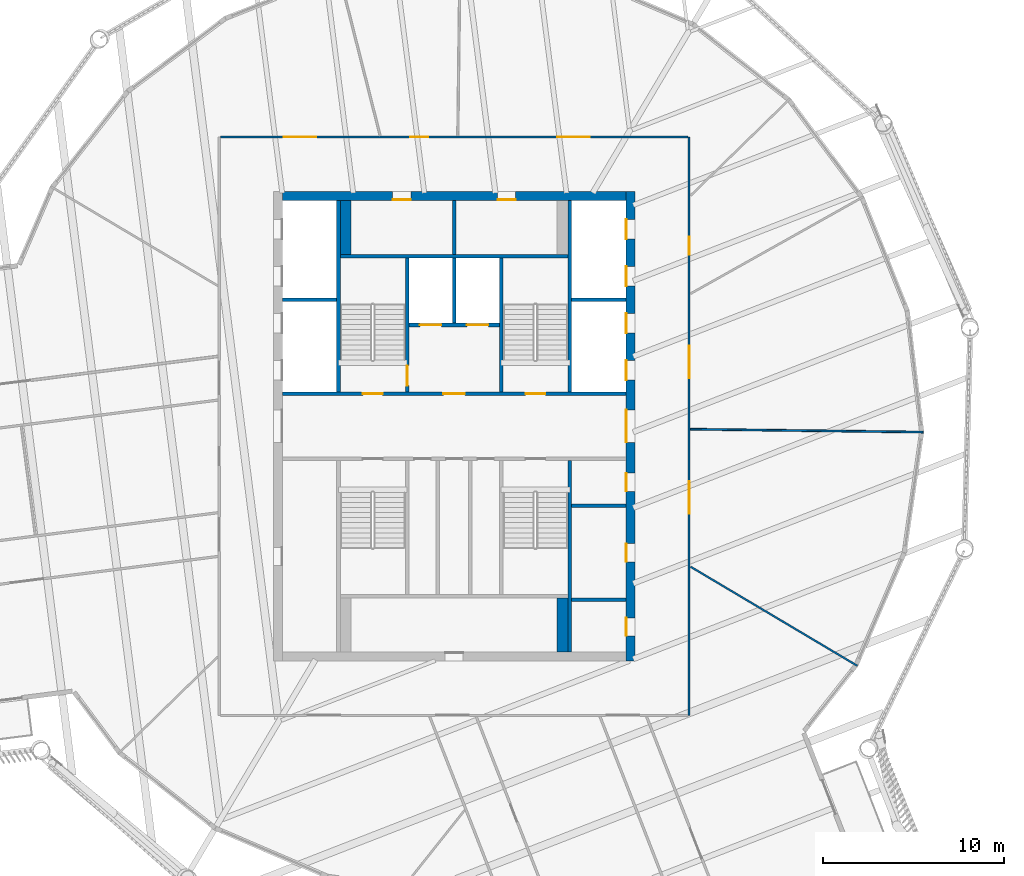
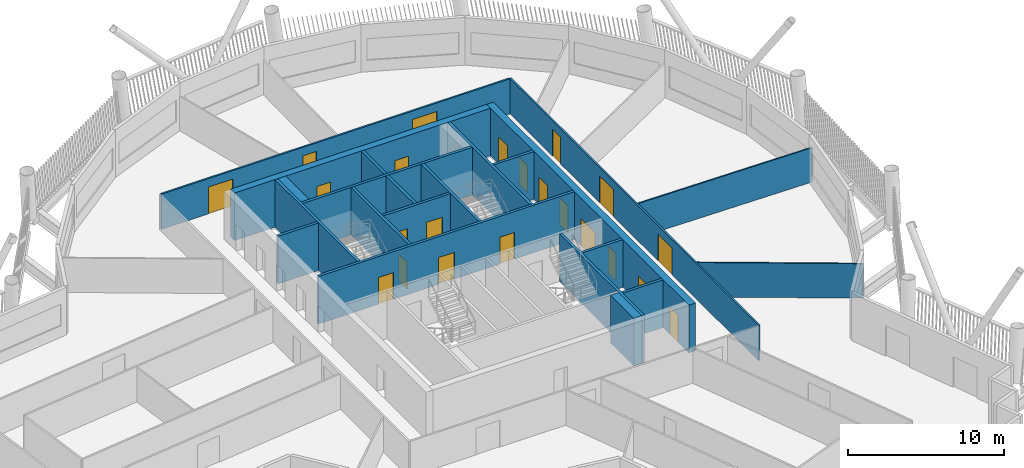
# One storey, part 5 of 20: 22 doors, 22 walls, 22 openings.
"""IFC4 building model written with IfcOpenShell, lengths in metres."""

from ifc_helpers import new_model, si_unit, direction, frame, frame_2d, origin, place, context, subcontext, project, spatial, rectangle, extrude, material, layer, layer_set, type_object, element, fill, save


model = new_model("IFC4")

# Units and contexts
model_context = context("Model", 3, precision=1e-05, world=origin(), true_north=direction((0.0, 1.0)))
body_context = subcontext(model_context, "Body", "Model", "MODEL_VIEW")
ifc_project = project(units=[si_unit("LENGTHUNIT", "METRE"), si_unit("AREAUNIT", "SQUARE_METRE"), si_unit("VOLUMEUNIT", "CUBIC_METRE"), si_unit("PLANEANGLEUNIT", "RADIAN"), si_unit("MASSUNIT", "GRAM", prefix="KILO")], contexts=[model_context])

# Site, building, storey
site_placement = place(None, origin())
site = spatial("IfcSite", under=ifc_project, at=site_placement, CompositionType="ELEMENT")
building_placement = place(site_placement, origin())
building = spatial("IfcBuilding", under=site, at=building_placement, Name="Tarsis Ring Headquarters", CompositionType="ELEMENT")
storey_placement = place(building_placement, frame((0.0, 0.0, 315.800048828125)))
storey = spatial("IfcBuildingStorey", under=building, at=storey_placement, Name="L74", CompositionType="ELEMENT", Elevation=315.800048828125)

# Walls
ifc_material_1 = material(Name="Blockwork", Category="masonry")
ifc_layer_1 = layer(ifc_material_1, 0.199951171875)
ifc_layer_set_1 = layer_set([ifc_layer_1], Name="Core blockwork wall 200")
wall_type_1 = type_object("IfcWallType", Name="Core blockwork wall 200", PredefinedType="PARTITIONING", material=ifc_layer_set_1)
for number, where, z_axis, x_axis, name in (
    (1, (6.5, -9.60009765625, 0.0), (0.0, 0.0, 1.0), (1.0, 0.0, 0.0), "Core partition ED1"),
    (2, (6.5, -4.39990234375, 0.0), (0.0, 0.0, 1.0), (1.0, 0.0, 0.0), "Core partition ED3"),
    (3, (0.0, 9.5, 0.0), (0.0, 0.0, 1.0), (0.0, 1.0, 0.0), "Core partition ND2"),
):
    element("IfcWall", number, at=place(storey_placement, frame(where, z_axis=z_axis, x_axis=x_axis)), inside=storey, type_object=wall_type_1, Name=name, PredefinedType="PARTITIONING", context=body_context, shape_type="SweptSolid", body=[
        extrude(rectangle(XDim=3.0, YDim=0.199951171875, at=frame_2d((1.5, 0.0))), origin(), (0.0, 0.0, 1.0), 3.739990234375),
    ])

# Wall, openings, doors
ifc_material_2 = material(Name="Concrete C50/60", Category="concrete")
ifc_layer_2 = layer(ifc_material_2, 0.5)
ifc_layer_set_2 = layer_set([ifc_layer_2], Name="Core wall 500 C50/60")
wall_type_2 = type_object("IfcWallType", Name="Core wall 500 C50/60", PredefinedType="SHEAR", material=ifc_layer_set_2)
wall_1_placement = place(storey_placement, frame((9.75, -13.0, 0.0), z_axis=(0.0, 0.0, 1.0), x_axis=(0.0, 1.0, 0.0)))
wall_1 = element("IfcWall", 4, at=wall_1_placement, inside=storey, type_object=wall_type_2, Name="Core wall OE", PredefinedType="SHEAR", context=body_context, shape_type="SweptSolid", body=[
    extrude(rectangle(XDim=26.0, YDim=0.5, at=frame_2d((13.0, 0.0))), origin(), (0.0, 0.0, 1.0), 3.739990234375),
])
opening_1_placement = place(wall_1_placement, frame((1.39990234375, 0.0, 0.0)))
opening_1 = element("IfcOpeningElement", 5, at=opening_1_placement, cuts=wall_1, Name="Opening L74-C07", PredefinedType="OPENING", context=body_context, shape_type="SweptSolid", body=[
    extrude(rectangle(XDim=1.0, YDim=2.10009765625, at=frame_2d((0.5, 1.050048828125))), frame((0.0, 0.260009765625, 0.0), z_axis=(0.0, -1.0, 0.0), x_axis=(1.0, 0.0, 0.0)), (0.0, 0.0, 1.0), 0.52001953125),
])
opening_2_placement = place(wall_1_placement, frame((5.5, 0.0, 0.0)))
opening_2 = element("IfcOpeningElement", 6, at=opening_2_placement, cuts=wall_1, Name="Opening L74-C08", PredefinedType="OPENING", context=body_context, shape_type="SweptSolid", body=[
    extrude(rectangle(XDim=1.0, YDim=2.10009765625, at=frame_2d((0.5, 1.050048828125))), frame((0.0, 0.260009765625, 0.0), z_axis=(0.0, -1.0, 0.0), x_axis=(1.0, 0.0, 0.0)), (0.0, 0.0, 1.0), 0.52001953125),
])
opening_3_placement = place(wall_1_placement, frame((9.39990234375, 0.0, 0.0)))
opening_3 = element("IfcOpeningElement", 7, at=opening_3_placement, cuts=wall_1, Name="Opening L74-C09", PredefinedType="OPENING", context=body_context, shape_type="SweptSolid", body=[
    extrude(rectangle(XDim=1.0, YDim=2.10009765625, at=frame_2d((0.5, 1.050048828125))), frame((0.0, 0.260009765625, 0.0), z_axis=(0.0, -1.0, 0.0), x_axis=(1.0, 0.0, 0.0)), (0.0, 0.0, 1.0), 0.52001953125),
])
opening_4_placement = place(wall_1_placement, frame((12.10009765625, 0.0, 0.0)))
opening_4 = element("IfcOpeningElement", 8, at=opening_4_placement, cuts=wall_1, Name="Opening L74-C10", PredefinedType="OPENING", context=body_context, shape_type="SweptSolid", body=[
    extrude(rectangle(XDim=1.800048828125, YDim=2.10009765625, at=frame_2d((0.89990234375, 1.050048828125))), frame((0.0, 0.260009765625, 0.0), z_axis=(0.0, -1.0, 0.0), x_axis=(1.0, 0.0, 0.0)), (0.0, 0.0, 1.0), 0.52001953125),
])
opening_5_placement = place(wall_1_placement, frame((15.550048828125, 0.0, 0.0)))
opening_5 = element("IfcOpeningElement", 9, at=opening_5_placement, cuts=wall_1, Name="Opening LD-HR5", PredefinedType="OPENING", context=body_context, shape_type="SweptSolid", body=[
    extrude(rectangle(XDim=1.10009765625, YDim=2.10009765625, at=frame_2d((0.550048828125, 1.050048828125))), frame((0.0, 0.260009765625, 0.0), z_axis=(0.0, -1.0, 0.0), x_axis=(1.0, 0.0, 0.0)), (0.0, 0.0, 1.0), 0.52001953125),
])
opening_6_placement = place(wall_1_placement, frame((18.14990234375, 0.0, 0.0)))
opening_6 = element("IfcOpeningElement", 10, at=opening_6_placement, cuts=wall_1, Name="Opening LD-HR6", PredefinedType="OPENING", context=body_context, shape_type="SweptSolid", body=[
    extrude(rectangle(XDim=1.10009765625, YDim=2.10009765625, at=frame_2d((0.550048828125, 1.050048828125))), frame((0.0, 0.260009765625, 0.0), z_axis=(0.0, -1.0, 0.0), x_axis=(1.0, 0.0, 0.0)), (0.0, 0.0, 1.0), 0.52001953125),
])
opening_7_placement = place(wall_1_placement, frame((20.75, 0.0, 0.0)))
opening_7 = element("IfcOpeningElement", 11, at=opening_7_placement, cuts=wall_1, Name="Opening LD-HR7", PredefinedType="OPENING", context=body_context, shape_type="SweptSolid", body=[
    extrude(rectangle(XDim=1.10009765625, YDim=2.10009765625, at=frame_2d((0.550048828125, 1.050048828125))), frame((0.0, 0.260009765625, 0.0), z_axis=(0.0, -1.0, 0.0), x_axis=(1.0, 0.0, 0.0)), (0.0, 0.0, 1.0), 0.52001953125),
])
opening_8_placement = place(wall_1_placement, frame((23.35009765625, 0.0, 0.0)))
opening_8 = element("IfcOpeningElement", 12, at=opening_8_placement, cuts=wall_1, Name="Opening LD-HR8", PredefinedType="OPENING", context=body_context, shape_type="SweptSolid", body=[
    extrude(rectangle(XDim=1.10009765625, YDim=2.10009765625, at=frame_2d((0.550048828125, 1.050048828125))), frame((0.0, 0.260009765625, 0.0), z_axis=(0.0, -1.0, 0.0), x_axis=(1.0, 0.0, 0.0)), (0.0, 0.0, 1.0), 0.52001953125),
])
ifc_material_3 = material(Name="Steel S355", Category="steel")
door_type_1 = type_object("IfcDoorType", Name="Core entry door 1800x2100", OperationType="DOUBLE_DOOR_SINGLE_SWING", PredefinedType="DOOR", material=ifc_material_3)
door_1_placement = place(opening_4_placement, origin())
door_1 = element("IfcDoor", 13, at=door_1_placement, inside=storey, type_object=door_type_1, Name="Core entry door L74", OperationType="DOUBLE_DOOR_SINGLE_SWING", OverallHeight=2.10009765625, OverallWidth=1.800048828125, PredefinedType="DOOR", context=body_context, shape_type="SweptSolid", body=[
    extrude(rectangle(XDim=1.800048828125, YDim=2.10009765625, at=frame_2d((0.89990234375, 1.050048828125))), frame((0.0, 0.25, 0.0), z_axis=(0.0, -1.0, 0.0), x_axis=(1.0, 0.0, 0.0)), (0.0, 0.0, 1.0), 0.050048828125),
])
fill(opening_4, door_1)
door_type_2 = type_object("IfcDoorType", Name="Core room door 1000x2100", OperationType="SINGLE_SWING_LEFT", PredefinedType="DOOR", material=ifc_material_3)
door_2_placement = place(opening_1_placement, origin())
door_2 = element("IfcDoor", 14, at=door_2_placement, inside=storey, type_object=door_type_2, Name="Core room door L74", OperationType="SINGLE_SWING_LEFT", OverallHeight=2.10009765625, OverallWidth=1.0, PredefinedType="DOOR", context=body_context, shape_type="SweptSolid", body=[
    extrude(rectangle(XDim=1.0, YDim=2.10009765625, at=frame_2d((0.5, 1.050048828125))), frame((0.0, 0.25, 0.0), z_axis=(0.0, -1.0, 0.0), x_axis=(1.0, 0.0, 0.0)), (0.0, 0.0, 1.0), 0.050048828125),
])
fill(opening_1, door_2)
door_3_placement = place(opening_2_placement, origin())
door_3 = element("IfcDoor", 15, at=door_3_placement, inside=storey, type_object=door_type_2, Name="Core room door L74", OperationType="SINGLE_SWING_LEFT", OverallHeight=2.10009765625, OverallWidth=1.0, PredefinedType="DOOR", context=body_context, shape_type="SweptSolid", body=[
    extrude(rectangle(XDim=1.0, YDim=2.10009765625, at=frame_2d((0.5, 1.050048828125))), frame((0.0, 0.25, 0.0), z_axis=(0.0, -1.0, 0.0), x_axis=(1.0, 0.0, 0.0)), (0.0, 0.0, 1.0), 0.050048828125),
])
fill(opening_2, door_3)
door_4_placement = place(opening_3_placement, origin())
door_4 = element("IfcDoor", 16, at=door_4_placement, inside=storey, type_object=door_type_2, Name="Core room door L74", OperationType="SINGLE_SWING_LEFT", OverallHeight=2.10009765625, OverallWidth=1.0, PredefinedType="DOOR", context=body_context, shape_type="SweptSolid", body=[
    extrude(rectangle(XDim=1.0, YDim=2.10009765625, at=frame_2d((0.5, 1.050048828125))), frame((0.0, 0.25, 0.0), z_axis=(0.0, -1.0, 0.0), x_axis=(1.0, 0.0, 0.0)), (0.0, 0.0, 1.0), 0.050048828125),
])
fill(opening_3, door_4)
door_type_3 = type_object("IfcDoorType", Name="Landing door 1100x2100", OperationType="SLIDING_TO_LEFT", PredefinedType="DOOR", material=ifc_material_3)
door_5_placement = place(opening_5_placement, origin())
door_5 = element("IfcDoor", 17, at=door_5_placement, inside=storey, type_object=door_type_3, Name="Landing door HR5 L74", OperationType="SLIDING_TO_LEFT", OverallHeight=2.10009765625, OverallWidth=1.10009765625, PredefinedType="DOOR", context=body_context, shape_type="SweptSolid", body=[
    extrude(rectangle(XDim=1.10009765625, YDim=2.10009765625, at=frame_2d((0.550048828125, 1.050048828125))), frame((0.0, 0.25, 0.0), z_axis=(0.0, -1.0, 0.0), x_axis=(1.0, 0.0, 0.0)), (0.0, 0.0, 1.0), 0.050048828125),
])
fill(opening_5, door_5)
door_6_placement = place(opening_6_placement, origin())
door_6 = element("IfcDoor", 18, at=door_6_placement, inside=storey, type_object=door_type_3, Name="Landing door HR6 L74", OperationType="SLIDING_TO_LEFT", OverallHeight=2.10009765625, OverallWidth=1.10009765625, PredefinedType="DOOR", context=body_context, shape_type="SweptSolid", body=[
    extrude(rectangle(XDim=1.10009765625, YDim=2.10009765625, at=frame_2d((0.550048828125, 1.050048828125))), frame((0.0, 0.25, 0.0), z_axis=(0.0, -1.0, 0.0), x_axis=(1.0, 0.0, 0.0)), (0.0, 0.0, 1.0), 0.050048828125),
])
fill(opening_6, door_6)
door_7_placement = place(opening_7_placement, origin())
door_7 = element("IfcDoor", 19, at=door_7_placement, inside=storey, type_object=door_type_3, Name="Landing door HR7 L74", OperationType="SLIDING_TO_LEFT", OverallHeight=2.10009765625, OverallWidth=1.10009765625, PredefinedType="DOOR", context=body_context, shape_type="SweptSolid", body=[
    extrude(rectangle(XDim=1.10009765625, YDim=2.10009765625, at=frame_2d((0.550048828125, 1.050048828125))), frame((0.0, 0.25, 0.0), z_axis=(0.0, -1.0, 0.0), x_axis=(1.0, 0.0, 0.0)), (0.0, 0.0, 1.0), 0.050048828125),
])
fill(opening_7, door_7)
door_8_placement = place(opening_8_placement, origin())
door_8 = element("IfcDoor", 20, at=door_8_placement, inside=storey, type_object=door_type_3, Name="Landing door HR8 L74", OperationType="SLIDING_TO_LEFT", OverallHeight=2.10009765625, OverallWidth=1.10009765625, PredefinedType="DOOR", context=body_context, shape_type="SweptSolid", body=[
    extrude(rectangle(XDim=1.10009765625, YDim=2.10009765625, at=frame_2d((0.550048828125, 1.050048828125))), frame((0.0, 0.25, 0.0), z_axis=(0.0, -1.0, 0.0), x_axis=(1.0, 0.0, 0.0)), (0.0, 0.0, 1.0), 0.050048828125),
])
fill(opening_8, door_8)

wall_2_placement = place(storey_placement, frame((-9.5, 12.75, 0.0), z_axis=(0.0, 0.0, 1.0), x_axis=(1.0, 0.0, 0.0)))
wall_2 = element("IfcWall", 21, at=wall_2_placement, inside=storey, type_object=wall_type_2, Name="Core wall ON", PredefinedType="SHEAR", context=body_context, shape_type="SweptSolid", body=[
    extrude(rectangle(XDim=19.0, YDim=0.5, at=frame_2d((9.5, 0.0))), origin(), (0.0, 0.0, 1.0), 3.739990234375),
])
opening_9_placement = place(wall_2_placement, frame((6.10009765625, 0.0, 0.0)))
opening_9 = element("IfcOpeningElement", 22, at=opening_9_placement, cuts=wall_2, Name="Opening L74-C15", PredefinedType="OPENING", context=body_context, shape_type="SweptSolid", body=[
    extrude(rectangle(XDim=1.0, YDim=2.10009765625, at=frame_2d((0.5, 1.050048828125))), frame((0.0, 0.260009765625, 0.0), z_axis=(0.0, -1.0, 0.0), x_axis=(1.0, 0.0, 0.0)), (0.0, 0.0, 1.0), 0.52001953125),
])
opening_10_placement = place(wall_2_placement, frame((11.89990234375, 0.0, 0.0)))
opening_10 = element("IfcOpeningElement", 23, at=opening_10_placement, cuts=wall_2, Name="Opening L74-C16", PredefinedType="OPENING", context=body_context, shape_type="SweptSolid", body=[
    extrude(rectangle(XDim=1.0, YDim=2.10009765625, at=frame_2d((0.5, 1.050048828125))), frame((0.0, 0.260009765625, 0.0), z_axis=(0.0, -1.0, 0.0), x_axis=(1.0, 0.0, 0.0)), (0.0, 0.0, 1.0), 0.52001953125),
])
door_9_placement = place(opening_9_placement, origin())
door_9 = element("IfcDoor", 24, at=door_9_placement, inside=storey, type_object=door_type_2, Name="Core room door L74", OperationType="SINGLE_SWING_LEFT", OverallHeight=2.10009765625, OverallWidth=1.0, PredefinedType="DOOR", context=body_context, shape_type="SweptSolid", body=[
    extrude(rectangle(XDim=1.0, YDim=2.10009765625, at=frame_2d((0.5, 1.050048828125))), frame((0.0, -0.2001953125, 0.0), z_axis=(0.0, -1.0, 0.0), x_axis=(1.0, 0.0, 0.0)), (0.0, 0.0, 1.0), 0.050048828125),
])
fill(opening_9, door_9)
door_10_placement = place(opening_10_placement, origin())
door_10 = element("IfcDoor", 25, at=door_10_placement, inside=storey, type_object=door_type_2, Name="Core room door L74", OperationType="SINGLE_SWING_LEFT", OverallHeight=2.10009765625, OverallWidth=1.0, PredefinedType="DOOR", context=body_context, shape_type="SweptSolid", body=[
    extrude(rectangle(XDim=1.0, YDim=2.10009765625, at=frame_2d((0.5, 1.050048828125))), frame((0.0, -0.2001953125, 0.0), z_axis=(0.0, -1.0, 0.0), x_axis=(1.0, 0.0, 0.0)), (0.0, 0.0, 1.0), 0.050048828125),
])
fill(opening_10, door_10)

# Walls
ifc_material_4 = material(Name="Gypsum board on steel studs", Category="steel")
ifc_layer_3 = layer(ifc_material_4, 0.10009765625)
ifc_layer_set_3 = layer_set([ifc_layer_3], Name="FL partition 100 unrated")
wall_type_3 = type_object("IfcWallType", Name="FL partition 100 unrated", PredefinedType="PARTITIONING", material=ifc_layer_set_3)
wall_3_placement = place(storey_placement, frame((13.070068359375, -0.164306640625, 0.0), z_axis=(0.0, 0.0, 1.0), x_axis=(0.999920990046, -0.01257034863, 0.0)))
element("IfcWall", 26, at=wall_3_placement, inside=storey, type_object=wall_type_3, Name="Partition PW3", PredefinedType="PARTITIONING", context=body_context, shape_type="SweptSolid", body=[
    extrude(rectangle(XDim=12.876708984375, YDim=0.10009765625, at=frame_2d((6.4384765625, 0.0))), origin(), (0.0, 0.0, 1.0), 2.699951171875),
])
wall_4_placement = place(storey_placement, frame((13.077392578125, -7.77099609375, 0.0), z_axis=(0.0, 0.0, 1.0), x_axis=(0.859670314919, -0.510849243561, 0.0)))
element("IfcWall", 27, at=wall_4_placement, inside=storey, type_object=wall_type_3, Name="Partition PW3", PredefinedType="PARTITIONING", context=body_context, shape_type="SweptSolid", body=[
    extrude(rectangle(XDim=10.73583984375, YDim=0.10009765625, at=frame_2d((5.367919921875, 0.0))), origin(), (0.0, 0.0, 1.0), 2.699951171875),
])

# Wall, openings, doors
ifc_layer_4 = layer(ifc_material_4, 0.125)
ifc_layer_set_4 = layer_set([ifc_layer_4], Name="FL partition 125 EI 60 H2770")
wall_type_4 = type_object("IfcWallType", Name="FL partition 125 EI 60 H2770", PredefinedType="PARTITIONING", material=ifc_layer_set_4)
wall_5_placement = place(storey_placement, frame((13.0, -16.0, 0.0), z_axis=(0.0, 0.0, 1.0), x_axis=(0.0, 1.0, 0.0)))
wall_5 = element("IfcWall", 28, at=wall_5_placement, inside=storey, type_object=wall_type_4, Name="Partition PW1", PredefinedType="PARTITIONING", context=body_context, shape_type="SweptSolid", body=[
    extrude(rectangle(XDim=32.0, YDim=0.125, at=frame_2d((16.0, 0.0))), origin(), (0.0, 0.0, 1.0), 2.77001953125),
])
opening_11_placement = place(wall_5_placement, frame((25.4833984375, 0.0, 0.0)))
opening_11 = element("IfcOpeningElement", 29, at=opening_11_placement, cuts=wall_5, Name="Opening D74.06", PredefinedType="OPENING", context=body_context, shape_type="SweptSolid", body=[
    extrude(rectangle(XDim=1.0, YDim=2.10009765625, at=frame_2d((0.5, 1.050048828125))), frame((0.0, 0.072509765625, 0.0), z_axis=(0.0, -1.0, 0.0), x_axis=(1.0, 0.0, 0.0)), (0.0, 0.0, 1.0), 0.14501953125),
])
opening_12_placement = place(wall_5_placement, frame((18.6630859375, 0.0, 0.0)))
opening_12 = element("IfcOpeningElement", 30, at=opening_12_placement, cuts=wall_5, Name="Opening D74.07", PredefinedType="OPENING", context=body_context, shape_type="SweptSolid", body=[
    extrude(rectangle(XDim=1.800048828125, YDim=2.10009765625, at=frame_2d((0.89990234375, 1.050048828125))), frame((0.0, 0.072509765625, 0.0), z_axis=(0.0, -1.0, 0.0), x_axis=(1.0, 0.0, 0.0)), (0.0, 0.0, 1.0), 0.14501953125),
])
opening_13_placement = place(wall_5_placement, frame((11.15576171875, 0.0, 0.0)))
opening_13 = element("IfcOpeningElement", 31, at=opening_13_placement, cuts=wall_5, Name="Opening D74.08", PredefinedType="OPENING", context=body_context, shape_type="SweptSolid", body=[
    extrude(rectangle(XDim=1.800048828125, YDim=2.10009765625, at=frame_2d((0.89990234375, 1.050048828125))), frame((0.0, 0.072509765625, 0.0), z_axis=(0.0, -1.0, 0.0), x_axis=(1.0, 0.0, 0.0)), (0.0, 0.0, 1.0), 0.14501953125),
])
ifc_material_5 = material(Name="Fire-rated timber door leaf in steel frame", Category="steel")
door_type_4 = type_object("IfcDoorType", Name="FL door FD60-1000", OperationType="NOTDEFINED", PredefinedType="DOOR", material=ifc_material_5)
door_11_placement = place(opening_11_placement, origin())
door_11 = element("IfcDoor", 32, at=door_11_placement, inside=storey, type_object=door_type_4, Name="Door D74.06", OperationType="SINGLE_SWING_RIGHT", OverallHeight=2.10009765625, OverallWidth=1.0, PredefinedType="DOOR", context=body_context, shape_type="SweptSolid", body=[
    extrude(rectangle(XDim=1.0, YDim=2.10009765625, at=frame_2d((0.5, 1.050048828125))), frame((0.0, 0.02490234375, 0.0), z_axis=(0.0, -1.0, 0.0), x_axis=(1.0, 0.0, 0.0)), (0.0, 0.0, 1.0), 0.050048828125),
])
fill(opening_11, door_11)
door_type_5 = type_object("IfcDoorType", Name="FL door FD60-1800", OperationType="DOUBLE_DOOR_SINGLE_SWING", PredefinedType="DOOR", material=ifc_material_5)
door_12_placement = place(opening_12_placement, origin())
door_12 = element("IfcDoor", 33, at=door_12_placement, inside=storey, type_object=door_type_5, Name="Door D74.07", OperationType="DOUBLE_DOOR_SINGLE_SWING", OverallHeight=2.10009765625, OverallWidth=1.800048828125, PredefinedType="DOOR", context=body_context, shape_type="SweptSolid", body=[
    extrude(rectangle(XDim=1.800048828125, YDim=2.10009765625, at=frame_2d((0.89990234375, 1.050048828125))), frame((0.0, 0.02490234375, 0.0), z_axis=(0.0, -1.0, 0.0), x_axis=(1.0, 0.0, 0.0)), (0.0, 0.0, 1.0), 0.050048828125),
])
fill(opening_12, door_12)
door_13_placement = place(opening_13_placement, origin())
door_13 = element("IfcDoor", 34, at=door_13_placement, inside=storey, type_object=door_type_5, Name="Door D74.08", OperationType="DOUBLE_DOOR_SINGLE_SWING", OverallHeight=2.10009765625, OverallWidth=1.800048828125, PredefinedType="DOOR", context=body_context, shape_type="SweptSolid", body=[
    extrude(rectangle(XDim=1.800048828125, YDim=2.10009765625, at=frame_2d((0.89990234375, 1.050048828125))), frame((0.0, 0.02490234375, 0.0), z_axis=(0.0, -1.0, 0.0), x_axis=(1.0, 0.0, 0.0)), (0.0, 0.0, 1.0), 0.050048828125),
])
fill(opening_13, door_13)

wall_6_placement = place(storey_placement, frame((-12.93994140625, 16.0, 0.0), z_axis=(0.0, 0.0, 1.0), x_axis=(1.0, 0.0, 0.0)))
wall_6 = element("IfcWall", 35, at=wall_6_placement, inside=storey, type_object=wall_type_4, Name="Partition PW1", PredefinedType="PARTITIONING", context=body_context, shape_type="SweptSolid", body=[
    extrude(rectangle(XDim=25.8798828125, YDim=0.125, at=frame_2d((12.93994140625, 0.0))), origin(), (0.0, 0.0, 1.0), 2.77001953125),
])
opening_14_placement = place(wall_6_placement, frame((3.50390625, 0.0, 0.0)))
opening_14 = element("IfcOpeningElement", 36, at=opening_14_placement, cuts=wall_6, Name="Opening D74.03", PredefinedType="OPENING", context=body_context, shape_type="SweptSolid", body=[
    extrude(rectangle(XDim=1.800048828125, YDim=2.10009765625, at=frame_2d((0.89990234375, 1.050048828125))), frame((0.0, 0.072509765625, 0.0), z_axis=(0.0, -1.0, 0.0), x_axis=(1.0, 0.0, 0.0)), (0.0, 0.0, 1.0), 0.14501953125),
])
opening_15_placement = place(wall_6_placement, frame((10.50439453125, 0.0, 0.0)))
opening_15 = element("IfcOpeningElement", 37, at=opening_15_placement, cuts=wall_6, Name="Opening D74.04", PredefinedType="OPENING", context=body_context, shape_type="SweptSolid", body=[
    extrude(rectangle(XDim=1.0, YDim=2.10009765625, at=frame_2d((0.5, 1.050048828125))), frame((0.0, 0.072509765625, 0.0), z_axis=(0.0, -1.0, 0.0), x_axis=(1.0, 0.0, 0.0)), (0.0, 0.0, 1.0), 0.14501953125),
])
opening_16_placement = place(wall_6_placement, frame((18.640380859375, 0.0, 0.0)))
opening_16 = element("IfcOpeningElement", 38, at=opening_16_placement, cuts=wall_6, Name="Opening D74.05", PredefinedType="OPENING", context=body_context, shape_type="SweptSolid", body=[
    extrude(rectangle(XDim=1.800048828125, YDim=2.10009765625, at=frame_2d((0.89990234375, 1.050048828125))), frame((0.0, 0.072509765625, 0.0), z_axis=(0.0, -1.0, 0.0), x_axis=(1.0, 0.0, 0.0)), (0.0, 0.0, 1.0), 0.14501953125),
])
door_14_placement = place(opening_15_placement, origin())
door_14 = element("IfcDoor", 39, at=door_14_placement, inside=storey, type_object=door_type_4, Name="Door D74.04", OperationType="SINGLE_SWING_RIGHT", OverallHeight=2.10009765625, OverallWidth=1.0, PredefinedType="DOOR", context=body_context, shape_type="SweptSolid", body=[
    extrude(rectangle(XDim=1.0, YDim=2.10009765625, at=frame_2d((0.5, 1.050048828125))), frame((0.0, 0.02490234375, 0.0), z_axis=(0.0, -1.0, 0.0), x_axis=(1.0, 0.0, 0.0)), (0.0, 0.0, 1.0), 0.050048828125),
])
fill(opening_15, door_14)
door_15_placement = place(opening_14_placement, origin())
door_15 = element("IfcDoor", 40, at=door_15_placement, inside=storey, type_object=door_type_5, Name="Door D74.03", OperationType="DOUBLE_DOOR_SINGLE_SWING", OverallHeight=2.10009765625, OverallWidth=1.800048828125, PredefinedType="DOOR", context=body_context, shape_type="SweptSolid", body=[
    extrude(rectangle(XDim=1.800048828125, YDim=2.10009765625, at=frame_2d((0.89990234375, 1.050048828125))), frame((0.0, 0.02490234375, 0.0), z_axis=(0.0, -1.0, 0.0), x_axis=(1.0, 0.0, 0.0)), (0.0, 0.0, 1.0), 0.050048828125),
])
fill(opening_14, door_15)
door_16_placement = place(opening_16_placement, origin())
door_16 = element("IfcDoor", 41, at=door_16_placement, inside=storey, type_object=door_type_5, Name="Door D74.05", OperationType="DOUBLE_DOOR_SINGLE_SWING", OverallHeight=2.10009765625, OverallWidth=1.800048828125, PredefinedType="DOOR", context=body_context, shape_type="SweptSolid", body=[
    extrude(rectangle(XDim=1.800048828125, YDim=2.10009765625, at=frame_2d((0.89990234375, 1.050048828125))), frame((0.0, 0.02490234375, 0.0), z_axis=(0.0, -1.0, 0.0), x_axis=(1.0, 0.0, 0.0)), (0.0, 0.0, 1.0), 0.050048828125),
])
fill(opening_16, door_16)

# Walls
ifc_material_6 = material(Name="Concrete C32/40", Category="concrete")
ifc_layer_5 = layer(ifc_material_6, 0.60009765625)
ifc_layer_set_5 = layer_set([ifc_layer_5], Name="Shaft end wall 600 C32/40")
wall_type_5 = type_object("IfcWallType", Name="Shaft end wall 600 C32/40", PredefinedType="SOLIDWALL", material=ifc_layer_set_5)
for number, where, z_axis, x_axis, name in (
    (42, (-6.0, 9.5, 0.0), (0.0, 0.0, 1.0), (0.0, 1.0, 0.0), "Core shaft wall NNE1"),
    (43, (6.0, -12.5, 0.0), (0.0, 0.0, 1.0), (0.0, 1.0, 0.0), "Core shaft wall SNE2"),
):
    element("IfcWall", number, at=place(storey_placement, frame(where, z_axis=z_axis, x_axis=x_axis)), inside=storey, type_object=wall_type_5, Name=name, PredefinedType="SOLIDWALL", context=body_context, shape_type="SweptSolid", body=[
        extrude(rectangle(XDim=3.0, YDim=0.60009765625, at=frame_2d((1.5, 0.0))), origin(), (0.0, 0.0, 1.0), 3.739990234375),
    ])

# Wall, openings, doors
ifc_layer_6 = layer(ifc_material_6, 0.199951171875)
ifc_layer_set_6 = layer_set([ifc_layer_6], Name="Shaft wall 200 C32/40")
wall_type_6 = type_object("IfcWallType", Name="Shaft wall 200 C32/40", PredefinedType="SOLIDWALL", material=ifc_layer_set_6)
wall_7_placement = place(storey_placement, frame((-9.5, 1.800048828125, 0.0), z_axis=(0.0, 0.0, 1.0), x_axis=(1.0, 0.0, 0.0)))
wall_7 = element("IfcWall", 44, at=wall_7_placement, inside=storey, type_object=wall_type_6, Name="Core shaft wall CN", PredefinedType="SOLIDWALL", context=body_context, shape_type="SweptSolid", body=[
    extrude(rectangle(XDim=19.0, YDim=0.199951171875, at=frame_2d((9.5, 0.0))), origin(), (0.0, 0.0, 1.0), 3.739990234375),
])
opening_17_placement = place(wall_7_placement, frame((4.449951171875, 0.0, 0.0)))
opening_17 = element("IfcOpeningElement", 45, at=opening_17_placement, cuts=wall_7, Name="Opening L74-C18", PredefinedType="OPENING", context=body_context, shape_type="SweptSolid", body=[
    extrude(rectangle(XDim=1.10009765625, YDim=2.10009765625, at=frame_2d((0.550048828125, 1.050048828125))), frame((0.0, 0.10986328125, 0.0), z_axis=(0.0, -1.0, 0.0), x_axis=(1.0, 0.0, 0.0)), (0.0, 0.0, 1.0), 0.219970703125),
])
opening_18_placement = place(wall_7_placement, frame((8.89990234375, 0.0, 0.0)))
opening_18 = element("IfcOpeningElement", 46, at=opening_18_placement, cuts=wall_7, Name="Opening L74-C19", PredefinedType="OPENING", context=body_context, shape_type="SweptSolid", body=[
    extrude(rectangle(XDim=1.199951171875, YDim=2.10009765625, at=frame_2d((0.60009765625, 1.050048828125))), frame((0.0, 0.10986328125, 0.0), z_axis=(0.0, -1.0, 0.0), x_axis=(1.0, 0.0, 0.0)), (0.0, 0.0, 1.0), 0.219970703125),
])
opening_19_placement = place(wall_7_placement, frame((13.449951171875, 0.0, 0.0)))
opening_19 = element("IfcOpeningElement", 47, at=opening_19_placement, cuts=wall_7, Name="Opening L74-C20", PredefinedType="OPENING", context=body_context, shape_type="SweptSolid", body=[
    extrude(rectangle(XDim=1.10009765625, YDim=2.10009765625, at=frame_2d((0.550048828125, 1.050048828125))), frame((0.0, 0.10986328125, 0.0), z_axis=(0.0, -1.0, 0.0), x_axis=(1.0, 0.0, 0.0)), (0.0, 0.0, 1.0), 0.219970703125),
])
door_type_6 = type_object("IfcDoorType", Name="Firefighting lobby door 1200x2100", OperationType="DOUBLE_DOOR_SINGLE_SWING", PredefinedType="DOOR", material=ifc_material_3)
door_17_placement = place(opening_18_placement, origin())
door_17 = element("IfcDoor", 48, at=door_17_placement, inside=storey, type_object=door_type_6, Name="Firefighting lobby door L74", OperationType="DOUBLE_DOOR_SINGLE_SWING", OverallHeight=2.10009765625, OverallWidth=1.199951171875, PredefinedType="DOOR", context=body_context, shape_type="SweptSolid", body=[
    extrude(rectangle(XDim=1.199951171875, YDim=2.10009765625, at=frame_2d((0.60009765625, 1.050048828125))), frame((0.0, 0.02490234375, 0.0), z_axis=(0.0, -1.0, 0.0), x_axis=(1.0, 0.0, 0.0)), (0.0, 0.0, 1.0), 0.050048828125),
])
fill(opening_18, door_17)
door_type_7 = type_object("IfcDoorType", Name="Stair door 1100x2100", OperationType="SINGLE_SWING_LEFT", PredefinedType="DOOR", material=ifc_material_3)
door_18_placement = place(opening_17_placement, origin())
door_18 = element("IfcDoor", 49, at=door_18_placement, inside=storey, type_object=door_type_7, Name="Stair door L74", OperationType="SINGLE_SWING_LEFT", OverallHeight=2.10009765625, OverallWidth=1.10009765625, PredefinedType="DOOR", context=body_context, shape_type="SweptSolid", body=[
    extrude(rectangle(XDim=1.10009765625, YDim=2.10009765625, at=frame_2d((0.550048828125, 1.050048828125))), frame((0.0, 0.02490234375, 0.0), z_axis=(0.0, -1.0, 0.0), x_axis=(1.0, 0.0, 0.0)), (0.0, 0.0, 1.0), 0.050048828125),
])
fill(opening_17, door_18)
door_19_placement = place(opening_19_placement, origin())
door_19 = element("IfcDoor", 50, at=door_19_placement, inside=storey, type_object=door_type_7, Name="Stair door L74", OperationType="SINGLE_SWING_LEFT", OverallHeight=2.10009765625, OverallWidth=1.10009765625, PredefinedType="DOOR", context=body_context, shape_type="SweptSolid", body=[
    extrude(rectangle(XDim=1.10009765625, YDim=2.10009765625, at=frame_2d((0.550048828125, 1.050048828125))), frame((0.0, 0.02490234375, 0.0), z_axis=(0.0, -1.0, 0.0), x_axis=(1.0, 0.0, 0.0)), (0.0, 0.0, 1.0), 0.050048828125),
])
fill(opening_19, door_19)

# Walls
for number, where, z_axis, x_axis, name in (
    (51, (-6.39990234375, 1.89990234375, 0.0), (0.0, 0.0, 1.0), (0.0, 1.0, 0.0), "Core shaft wall WB2"),
    (52, (6.39990234375, -12.5, 0.0), (0.0, 0.0, 1.0), (0.0, 1.0, 0.0), "Core shaft wall EB1"),
    (53, (6.39990234375, 1.89990234375, 0.0), (0.0, 0.0, 1.0), (0.0, 1.0, 0.0), "Core shaft wall EB2"),
):
    element("IfcWall", number, at=place(storey_placement, frame(where, z_axis=z_axis, x_axis=x_axis)), inside=storey, type_object=wall_type_6, Name=name, PredefinedType="SOLIDWALL", context=body_context, shape_type="SweptSolid", body=[
        extrude(rectangle(XDim=10.60009765625, YDim=0.199951171875, at=frame_2d((5.300048828125, 0.0))), origin(), (0.0, 0.0, 1.0), 3.739990234375),
    ])
wall_8_placement = place(storey_placement, frame((-6.300048828125, 9.39990234375, 0.0), z_axis=(0.0, 0.0, 1.0), x_axis=(1.0, 0.0, 0.0)))
element("IfcWall", 54, at=wall_8_placement, inside=storey, type_object=wall_type_6, Name="Core shaft wall NB", PredefinedType="SOLIDWALL", context=body_context, shape_type="SweptSolid", body=[
    extrude(rectangle(XDim=12.60009765625, YDim=0.199951171875, at=frame_2d((6.300048828125, 0.0))), origin(), (0.0, 0.0, 1.0), 3.739990234375),
])

# Wall, opening, door
wall_9_placement = place(storey_placement, frame((-2.60009765625, 1.89990234375, 0.0), z_axis=(0.0, 0.0, 1.0), x_axis=(0.0, 1.0, 0.0)))
wall_9 = element("IfcWall", 55, at=wall_9_placement, inside=storey, type_object=wall_type_6, Name="Core shaft wall SW1", PredefinedType="SOLIDWALL", context=body_context, shape_type="SweptSolid", body=[
    extrude(rectangle(XDim=7.400146484375, YDim=0.199951171875, at=frame_2d((3.7001953125, 0.0))), origin(), (0.0, 0.0, 1.0), 3.739990234375),
])
opening_20_placement = place(wall_9_placement, frame((0.35009765625, 0.0, 0.0)))
opening_20 = element("IfcOpeningElement", 56, at=opening_20_placement, cuts=wall_9, Name="Opening L74-C26", PredefinedType="OPENING", context=body_context, shape_type="SweptSolid", body=[
    extrude(rectangle(XDim=1.10009765625, YDim=2.10009765625, at=frame_2d((0.550048828125, 1.050048828125))), frame((0.0, 0.10986328125, 0.0), z_axis=(0.0, -1.0, 0.0), x_axis=(1.0, 0.0, 0.0)), (0.0, 0.0, 1.0), 0.219970703125),
])
door_20_placement = place(opening_20_placement, origin())
door_20 = element("IfcDoor", 57, at=door_20_placement, inside=storey, type_object=door_type_7, Name="Stair door L74", OperationType="SINGLE_SWING_LEFT", OverallHeight=2.10009765625, OverallWidth=1.10009765625, PredefinedType="DOOR", context=body_context, shape_type="SweptSolid", body=[
    extrude(rectangle(XDim=1.10009765625, YDim=2.10009765625, at=frame_2d((0.550048828125, 1.050048828125))), frame((0.0, 0.02490234375, 0.0), z_axis=(0.0, -1.0, 0.0), x_axis=(1.0, 0.0, 0.0)), (0.0, 0.0, 1.0), 0.050048828125),
])
fill(opening_20, door_20)

# Wall
wall_10_placement = place(storey_placement, frame((2.60009765625, 1.89990234375, 0.0), z_axis=(0.0, 0.0, 1.0), x_axis=(0.0, 1.0, 0.0)))
element("IfcWall", 58, at=wall_10_placement, inside=storey, type_object=wall_type_6, Name="Core shaft wall SW2", PredefinedType="SOLIDWALL", context=body_context, shape_type="SweptSolid", body=[
    extrude(rectangle(XDim=7.400146484375, YDim=0.199951171875, at=frame_2d((3.7001953125, 0.0))), origin(), (0.0, 0.0, 1.0), 3.739990234375),
])

# Wall, openings, doors
wall_11_placement = place(storey_placement, frame((-2.5, 5.60009765625, 0.0), z_axis=(0.0, 0.0, 1.0), x_axis=(1.0, 0.0, 0.0)))
wall_11 = element("IfcWall", 59, at=wall_11_placement, inside=storey, type_object=wall_type_6, Name="Core shaft wall FFN", PredefinedType="SOLIDWALL", context=body_context, shape_type="SweptSolid", body=[
    extrude(rectangle(XDim=5.0, YDim=0.199951171875, at=frame_2d((2.5, 0.0))), origin(), (0.0, 0.0, 1.0), 3.739990234375),
])
opening_21_placement = place(wall_11_placement, frame((0.60009765625, 0.0, 0.0)))
opening_21 = element("IfcOpeningElement", 60, at=opening_21_placement, cuts=wall_11, Name="Opening LDF-1", PredefinedType="OPENING", context=body_context, shape_type="SweptSolid", body=[
    extrude(rectangle(XDim=1.199951171875, YDim=2.10009765625, at=frame_2d((0.60009765625, 1.050048828125))), frame((0.0, 0.10986328125, 0.0), z_axis=(0.0, -1.0, 0.0), x_axis=(1.0, 0.0, 0.0)), (0.0, 0.0, 1.0), 0.219970703125),
])
opening_22_placement = place(wall_11_placement, frame((3.199951171875, 0.0, 0.0)))
opening_22 = element("IfcOpeningElement", 61, at=opening_22_placement, cuts=wall_11, Name="Opening LDF-2", PredefinedType="OPENING", context=body_context, shape_type="SweptSolid", body=[
    extrude(rectangle(XDim=1.199951171875, YDim=2.10009765625, at=frame_2d((0.60009765625, 1.050048828125))), frame((0.0, 0.10986328125, 0.0), z_axis=(0.0, -1.0, 0.0), x_axis=(1.0, 0.0, 0.0)), (0.0, 0.0, 1.0), 0.219970703125),
])
door_type_8 = type_object("IfcDoorType", Name="Firefighting landing door 1200x2100", OperationType="SLIDING_TO_LEFT", PredefinedType="DOOR", material=ifc_material_3)
door_21_placement = place(opening_21_placement, origin())
door_21 = element("IfcDoor", 62, at=door_21_placement, inside=storey, type_object=door_type_8, Name="Landing door FF1 L74", OperationType="SLIDING_TO_LEFT", OverallHeight=2.10009765625, OverallWidth=1.199951171875, PredefinedType="DOOR", context=body_context, shape_type="SweptSolid", body=[
    extrude(rectangle(XDim=1.199951171875, YDim=2.10009765625, at=frame_2d((0.60009765625, 1.050048828125))), frame((0.0, 0.02490234375, 0.0), z_axis=(0.0, -1.0, 0.0), x_axis=(1.0, 0.0, 0.0)), (0.0, 0.0, 1.0), 0.050048828125),
])
fill(opening_21, door_21)
door_22_placement = place(opening_22_placement, origin())
door_22 = element("IfcDoor", 63, at=door_22_placement, inside=storey, type_object=door_type_8, Name="Landing door FF2 L74", OperationType="SLIDING_TO_LEFT", OverallHeight=2.10009765625, OverallWidth=1.199951171875, PredefinedType="DOOR", context=body_context, shape_type="SweptSolid", body=[
    extrude(rectangle(XDim=1.199951171875, YDim=2.10009765625, at=frame_2d((0.60009765625, 1.050048828125))), frame((0.0, 0.02490234375, 0.0), z_axis=(0.0, -1.0, 0.0), x_axis=(1.0, 0.0, 0.0)), (0.0, 0.0, 1.0), 0.050048828125),
])
fill(opening_22, door_22)

# Walls
wall_12_placement = place(storey_placement, frame((0.0, 5.699951171875, 0.0), z_axis=(0.0, 0.0, 1.0), x_axis=(0.0, 1.0, 0.0)))
element("IfcWall", 64, at=wall_12_placement, inside=storey, type_object=wall_type_6, Name="Core shaft wall FFD", PredefinedType="SOLIDWALL", context=body_context, shape_type="SweptSolid", body=[
    extrude(rectangle(XDim=3.60009765625, YDim=0.199951171875, at=frame_2d((1.800048828125, 0.0))), origin(), (0.0, 0.0, 1.0), 3.739990234375),
])
for number, where, z_axis, x_axis, name in (
    (65, (-9.5, 7.0, 0.0), (0.0, 0.0, 1.0), (1.0, 0.0, 0.0), "Core shaft wall WD6"),
    (66, (6.5, 7.0, 0.0), (0.0, 0.0, 1.0), (1.0, 0.0, 0.0), "Core shaft wall ED6"),
):
    element("IfcWall", number, at=place(storey_placement, frame(where, z_axis=z_axis, x_axis=x_axis)), inside=storey, type_object=wall_type_6, Name=name, PredefinedType="SOLIDWALL", context=body_context, shape_type="SweptSolid", body=[
        extrude(rectangle(XDim=3.0, YDim=0.199951171875, at=frame_2d((1.5, 0.0))), origin(), (0.0, 0.0, 1.0), 3.739990234375),
    ])

save(model, "model.ifc")
